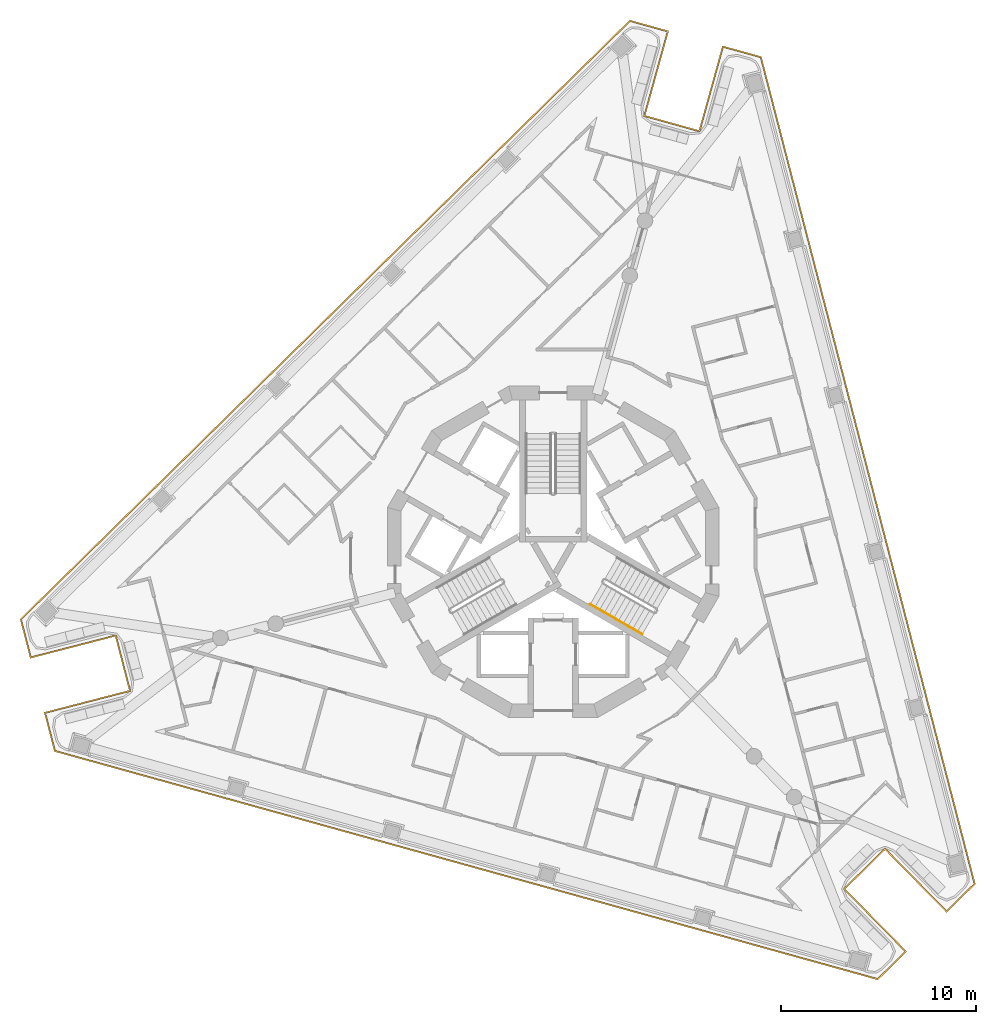
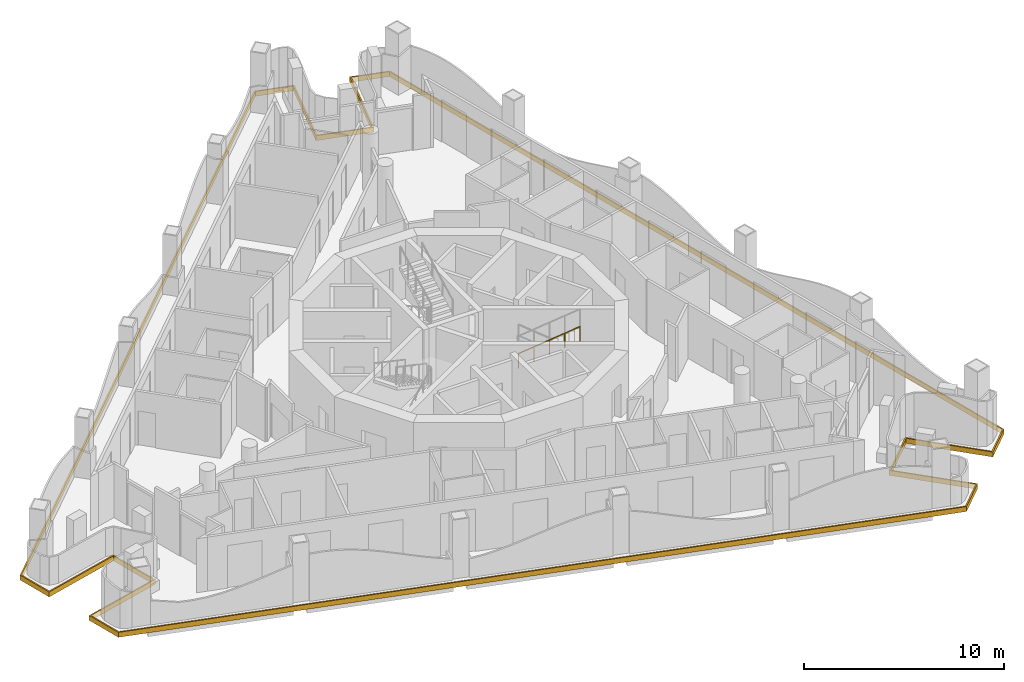
# One storey, part 11 of 14: 2 railings, 1 covering.
"""IFC4 building model written with IfcOpenShell, lengths in metres."""

import ifcopenshell
import ifcopenshell.guid

model = None  # the IFC model being written
_history = None  # IfcOwnerHistory: only IFC2X3 demands one
_inside = {}  # id of a spatial element -> (the spatial element, [elements in it])
_under = {}  # id of a project, library or spatial element -> (it, [spatial elements below it])
_declared = {}  # id of a project -> (the project, [libraries it declares])
_typed = {}  # id of a type object -> (the type object, [elements of that type])
_made_of = {}  # id of a material, layer set ... -> (it, [elements and type objects made of it])


def new_model(schema):
    """Start an empty IFC model of exactly this schema.

    Asked for "IFC4X3", IfcOpenShell would pick the latest addendum, in which some entities
    have other attributes; the version numbers below select the first issue.
    IFC2X3 requires an IfcOwnerHistory on every rooted entity: one is made here for all.
    """
    global model, _history
    if schema == "IFC4X3":
        model = ifcopenshell.file(schema_version=(4, 3, 0, 0))
    else:
        model = ifcopenshell.file(schema=schema)
    _inside.clear()
    _under.clear()
    _declared.clear()
    _typed.clear()
    _made_of.clear()
    _history = None
    if model.schema == "IFC2X3":
        org = make("IfcOrganization", Name="unknown")
        user = make(
            "IfcPersonAndOrganization",
            ThePerson=make("IfcPerson", FamilyName="unknown"),
            TheOrganization=org,
        )
        app = make(
            "IfcApplication",
            ApplicationDeveloper=org,
            Version="unknown",
            ApplicationFullName="unknown",
            ApplicationIdentifier="unknown",
        )
        _history = make(
            "IfcOwnerHistory",
            OwningUser=user,
            OwningApplication=app,
            ChangeAction="ADDED",
            CreationDate=0,
        )
    return model


def make(cls, **values):
    """One entity of the class cls with the attributes given. An attribute that is None is left unset."""
    return model.create_entity(
        cls, **{name: value for name, value in values.items() if value is not None}
    )


def rooted(cls, **values):
    """An entity with a GlobalId (a new one), such as an element, a storey or a relation."""
    return make(cls, GlobalId=ifcopenshell.guid.new(), OwnerHistory=_history, **values)


def si_unit(unit_type, name, prefix=None):
    """IfcSIUnit, for example si_unit("LENGTHUNIT", "METRE", prefix="MILLI")."""
    return make("IfcSIUnit", UnitType=unit_type, Prefix=prefix, Name=name)


def assignment(units):
    """IfcUnitAssignment: the units of a project."""
    return None if units is None else make("IfcUnitAssignment", Units=units)


def point(xyz):
    """IfcCartesianPoint."""
    return None if xyz is None else make("IfcCartesianPoint", Coordinates=xyz)


def direction(xyz):
    """IfcDirection."""
    return None if xyz is None else make("IfcDirection", DirectionRatios=xyz)


def frame(location, z_axis=None, x_axis=None):
    """IfcAxis2Placement3D, a coordinate frame: its origin and axes. An axis left out is left unset."""
    return make(
        "IfcAxis2Placement3D",
        Location=point(location),
        Axis=direction(z_axis),
        RefDirection=direction(x_axis),
    )


def frame_2d(location, x_axis=None):
    """IfcAxis2Placement2D, a coordinate frame in the plane: its origin and x axis."""
    return make(
        "IfcAxis2Placement2D", Location=point(location), RefDirection=direction(x_axis)
    )


def origin():
    """The frame at (0, 0, 0) with its axes left unset."""
    return frame((0.0, 0.0, 0.0))


def origin_2d():
    """The frame at (0, 0) in the plane with its x axis left unset."""
    return frame_2d((0.0, 0.0))


def place(relative_to, where):
    """IfcLocalPlacement: puts the frame where relative to a parent placement (None: the world)."""
    return make(
        "IfcLocalPlacement", PlacementRelTo=relative_to, RelativePlacement=where
    )


def context(
    kind, dimensions, precision=None, world=None, true_north=None, identifier=None
):
    """IfcGeometricRepresentationContext, for example the 3D "Model" context."""
    return make(
        "IfcGeometricRepresentationContext",
        ContextIdentifier=identifier,
        ContextType=kind,
        CoordinateSpaceDimension=dimensions,
        Precision=precision,
        WorldCoordinateSystem=world,
        TrueNorth=true_north,
    )


def subcontext(parent, identifier, kind, view, scale=None):
    """IfcGeometricRepresentationSubContext, for example "Body" below "Model"."""
    return make(
        "IfcGeometricRepresentationSubContext",
        ContextIdentifier=identifier,
        ContextType=kind,
        ParentContext=parent,
        TargetScale=scale,
        TargetView=view,
    )


def project(units=None, contexts=None):
    """IfcProject with its units and contexts."""
    return rooted(
        "IfcProject",
        Name="project",
        RepresentationContexts=contexts,
        UnitsInContext=assignment(units),
    )


def spatial(cls, under=None, at=None, **own):
    """A site, building, storey or space (cls), placed at a placement, below another one or the project."""
    s = rooted(cls, ObjectPlacement=at, **own)
    if under is not None:
        _under.setdefault(under.id(), (under, []))[1].append(s)
    return s


def polyline(points):
    """IfcPolyline through the points."""
    return make("IfcPolyline", Points=[point(p) for p in points])


def profile(cls, at=None, kind="AREA", **sizes):
    """A parametric profile (cls). Its sizes go by their IFC names, for example OverallWidth=200.0."""
    return make(cls, ProfileType=kind, Position=at, **sizes)


def circle(**sizes):
    """IfcCircleProfileDef."""
    return profile("IfcCircleProfileDef", **sizes)


def outline(outer, holes=None, kind="AREA"):
    """IfcArbitraryClosedProfileDef: a profile drawn as a closed curve; with holes, ...WithVoids."""
    if holes is None:
        return make("IfcArbitraryClosedProfileDef", ProfileType=kind, OuterCurve=outer)
    return make(
        "IfcArbitraryProfileDefWithVoids",
        ProfileType=kind,
        OuterCurve=outer,
        InnerCurves=holes,
    )


def extrude(swept, where, along, depth):
    """IfcExtrudedAreaSolid: the profile swept, set in the frame where, extruded along a direction by depth."""
    return make(
        "IfcExtrudedAreaSolid",
        SweptArea=swept,
        Position=where,
        ExtrudedDirection=direction(along),
        Depth=depth,
    )


def shape(context_of_items, identifier, shape_type, items):
    """IfcShapeRepresentation: the items that make up one representation, for example the "Body"."""
    return make(
        "IfcShapeRepresentation",
        ContextOfItems=context_of_items,
        RepresentationIdentifier=identifier,
        RepresentationType=shape_type,
        Items=items,
    )


def material(Name=None, Category=None):
    """IfcMaterial."""
    return make("IfcMaterial", Name=Name, Category=Category)


def layer(
    of_material, thickness, ventilated=None, Name=None, Category=None, Priority=None
):
    """IfcMaterialLayer: one layer of a wall or slab, of a material (None: an air gap)."""
    return make(
        "IfcMaterialLayer",
        Material=of_material,
        LayerThickness=thickness,
        IsVentilated=ventilated,
        Name=Name,
        Category=Category,
        Priority=Priority,
    )


def layer_set(layers, Name=None):
    """IfcMaterialLayerSet."""
    return make("IfcMaterialLayerSet", MaterialLayers=layers, LayerSetName=Name)


def made_of(thing, what):
    """Note that an element or type object is made of a material, layer set ...; save() writes the relation."""
    if what is not None:
        _made_of.setdefault(what.id(), (what, []))[1].append(thing)
    return thing


def type_object(cls, material=None, **own):
    """A type object (cls), such as IfcWallType, which elements share."""
    return made_of(rooted(cls, **own), material)


def element(
    cls,
    number,
    at=None,
    inside=None,
    cuts=None,
    type_object=None,
    material=None,
    context=None,
    identifier="Body",
    shape_type=None,
    held_by="IfcProductDefinitionShape",
    body=None,
    shapes=None,
    **own,
):
    """One element of the class cls, such as IfcWall. Its Tag is "e" and its number.

    at: its placement. inside: the storey or other place that contains it. cuts: it is an
    opening in that element (IfcRelVoidsElement). A single representation is given by context,
    identifier, shape_type and body (its items); several are given by shapes. held_by: the class
    of the entity that holds the representations. save() writes the other relations.
    """
    e = rooted(cls, Tag="e%d" % number, ObjectPlacement=at, **own)
    if body is not None:
        shapes = [shape(context, identifier, shape_type, body)]
    if shapes is not None:
        e.Representation = make(held_by, Representations=shapes)
    if inside is not None:
        _inside.setdefault(inside.id(), (inside, []))[1].append(e)
    if cuts is not None:
        rooted(
            "IfcRelVoidsElement", RelatingBuildingElement=cuts, RelatedOpeningElement=e
        )
    if type_object is not None:
        _typed.setdefault(type_object.id(), (type_object, []))[1].append(e)
    return made_of(e, material)


def aggregate(whole, parts):
    """IfcRelAggregates: a whole, such as a stair, and the parts it consists of."""
    return rooted("IfcRelAggregates", RelatingObject=whole, RelatedObjects=parts)


def save(model, path):
    """Write the relations noted so far, then the file.

    IfcRelAggregates (storeys below a building ...), IfcRelContainedInSpatialStructure (elements
    in a storey), IfcRelDefinesByType, IfcRelAssociatesMaterial and IfcRelDeclares: one each for
    every whole, place, type object, material and project.
    """
    for whole, parts in _under.values():
        aggregate(whole, parts)
    for where, things in _inside.values():
        rooted(
            "IfcRelContainedInSpatialStructure",
            RelatedElements=things,
            RelatingStructure=where,
        )
    for kind, things in _typed.values():
        rooted("IfcRelDefinesByType", RelatedObjects=things, RelatingType=kind)
    for what, things in _made_of.values():
        rooted("IfcRelAssociatesMaterial", RelatedObjects=things, RelatingMaterial=what)
    for by, libraries in _declared.values():
        rooted("IfcRelDeclares", RelatingContext=by, RelatedDefinitions=libraries)
    model.write(path)


model = new_model("IFC4")

# Units and contexts
model_context = context("Model", 3, precision=1e-05, world=origin(), true_north=direction((0.0, 1.0)))
body_context = subcontext(model_context, "Body", "Model", "MODEL_VIEW")
ifc_project = project(units=[si_unit("LENGTHUNIT", "METRE"), si_unit("AREAUNIT", "SQUARE_METRE"), si_unit("VOLUMEUNIT", "CUBIC_METRE"), si_unit("PLANEANGLEUNIT", "RADIAN"), si_unit("MASSUNIT", "GRAM", prefix="KILO")], contexts=[model_context])

# Site, building, storey
site_placement = place(None, origin())
site = spatial("IfcSite", under=ifc_project, at=site_placement, CompositionType="ELEMENT")
building_placement = place(site_placement, origin())
building = spatial("IfcBuilding", under=site, at=building_placement, Name="Trine Commons Tower", CompositionType="ELEMENT")
storey_placement = place(building_placement, frame((0.0, 0.0, 245.699951171875)))
storey = spatial("IfcBuildingStorey", under=building, at=storey_placement, Name="L64", CompositionType="ELEMENT", Elevation=245.699951171875)

# Covering
ifc_material_1 = material(Name="Limestone, honed", Category="masonry")
ifc_layer = layer(ifc_material_1, 0.074951171875)
ifc_layer_set = layer_set([ifc_layer], Name="Limestone, honed")
covering_type = type_object("IfcCoveringType", Name="Limestone spandrel panel 75", PredefinedType="CLADDING", material=ifc_layer_set)
covering_placement = place(storey_placement, frame((0.0, 0.0, -0.300048828125)))
element("IfcCovering", 1, at=covering_placement, inside=storey, type_object=covering_type, Name="Limestone spandrel panel 7-01", PredefinedType="CLADDING", context=body_context, shape_type="SweptSolid", body=[
    extrude(outline(polyline([(97.018310546875, 47.215087890625), (100.172607421875, 44.00537109375), (101.65771484375, 45.465087890625), (90.68359375, 87.899169921875), (88.677001953125, 88.45556640625), (87.474365234375, 84.119140625), (84.72802734375, 84.880859375), (85.9306640625, 89.21728515625), (83.923828125, 89.773681640625), (52.662109375, 59.052734375), (53.183349609375, 57.03662109375), (57.5400390625, 58.163330078125), (58.253662109375, 55.404052734375), (53.89697265625, 54.27734375), (54.418212890625, 52.26123046875), (96.654541015625, 40.548095703125), (98.1396484375, 42.0078125), (94.985595703125, 45.21728515625), (97.018310546875, 47.215087890625)]), holes=[polyline([(88.72900390625, 88.36328125), (90.621826171875, 87.83837890625), (101.57421875, 45.488037109375), (100.17333984375, 44.111572265625), (97.019287109375, 47.321044921875), (94.879638671875, 45.218505859375), (98.03369140625, 42.0087890625), (96.6328125, 40.632080078125), (54.47998046875, 52.322021484375), (53.98828125, 54.2236328125), (58.344970703125, 55.350341796875), (57.593994140625, 58.254638671875), (53.2373046875, 57.1279296875), (52.745361328125, 59.029541015625), (83.945556640625, 89.68994140625), (85.838134765625, 89.1650390625), (84.6357421875, 84.82861328125), (87.526611328125, 84.02685546875), (88.72900390625, 88.36328125)])]), origin(), (0.0, 0.0, 1.0), 0.300048828125),
])

# Railings
ifc_material_2 = material(Name="Stainless steel handrail", Category="steel")
railing_type = type_object("IfcRailingType", Name="Stair handrail, steel 900", PredefinedType="HANDRAIL", material=ifc_material_2)
railing_1_placement = place(storey_placement, frame((81.90234375, 59.81396484375, 1.949951171875)))
element("IfcRailing", 2, at=railing_1_placement, inside=storey, type_object=railing_type, Name="L64 ST3C stair handrail 3", PredefinedType="HANDRAIL", context=body_context, shape_type="SweptSolid", body=[
    extrude(circle(Radius=0.02099609375, at=origin_2d()), frame((0.0, 0.0, 0.87890625), z_axis=(0.763354580307, -0.440713956853, 0.472293333596), x_axis=(0.499992328818, 0.866029832698, 0.0)), (0.0, 0.0, 1.0), 1.747314453125),
    extrude(circle(Radius=0.01513671875, at=origin_2d()), origin(), (0.0, 0.0, 1.0), 0.85791015625),
    extrude(circle(Radius=0.01513671875, at=origin_2d()), frame((0.6669921875, -0.385009765625, 0.41259765625)), (0.0, 0.0, 1.0), 0.85791015625),
    extrude(circle(Radius=0.01513671875, at=origin_2d()), frame((1.333740234375, -0.77001953125, 0.8251953125)), (0.0, 0.0, 1.0), 0.85791015625),
])
railing_2_placement = place(storey_placement, frame((83.236083984375, 59.0439453125, 2.775146484375)))
element("IfcRailing", 3, at=railing_2_placement, inside=storey, type_object=railing_type, Name="L64 ST3C stair handrail 4", PredefinedType="HANDRAIL", context=body_context, shape_type="SweptSolid", body=[
    extrude(circle(Radius=0.02099609375, at=origin_2d()), frame((0.0, 0.0, 0.87890625), z_axis=(0.76340495495, -0.440743040072, 0.472184759798), x_axis=(0.499992328818, 0.866029832698, 0.0)), (0.0, 0.0, 1.0), 1.7470703125),
    extrude(circle(Radius=0.01513671875, at=origin_2d()), origin(), (0.0, 0.0, 1.0), 0.85791015625),
    extrude(circle(Radius=0.01513671875, at=origin_2d()), frame((0.6669921875, -0.385009765625, 0.41259765625)), (0.0, 0.0, 1.0), 0.85791015625),
    extrude(circle(Radius=0.01513671875, at=origin_2d()), frame((1.333740234375, -0.77001953125, 0.824951171875)), (0.0, 0.0, 1.0), 0.85791015625),
])

save(model, "model.ifc")
